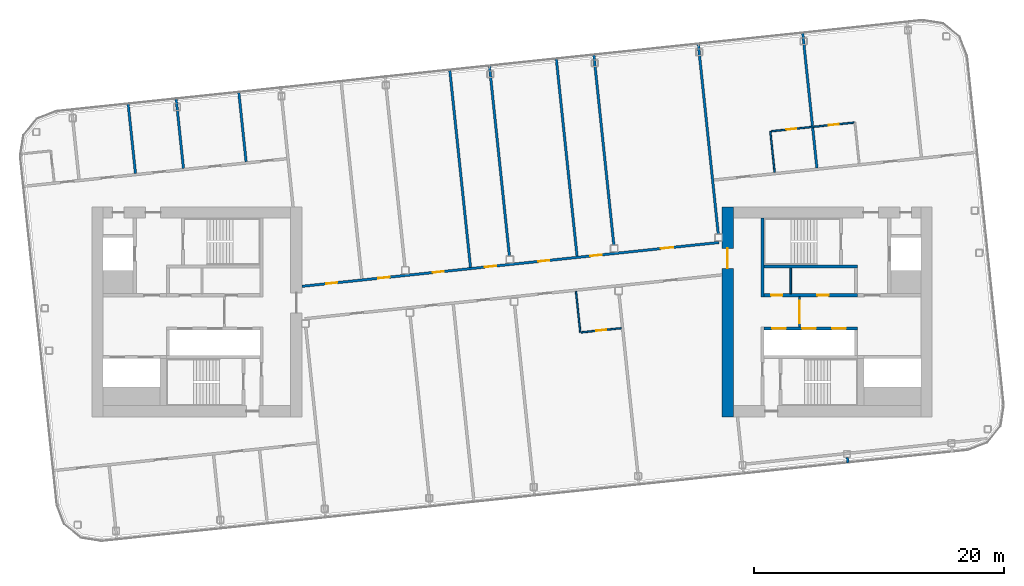
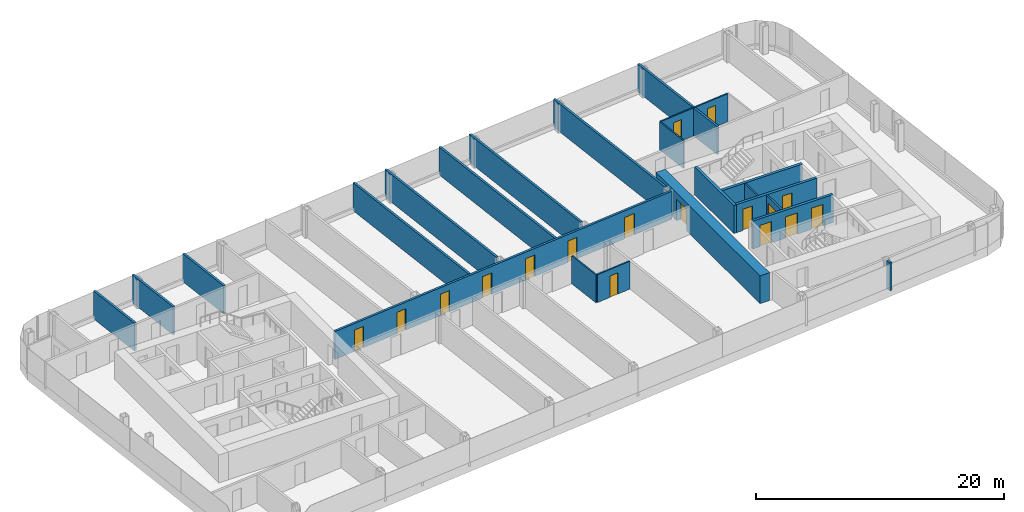
# One storey, part 16 of 26: 22 walls, 17 doors, 17 openings.
"""IFC4 building model written with IfcOpenShell, lengths in metres."""

from ifc_helpers import new_model, si_unit, direction, frame, frame_2d, origin, place, context, subcontext, project, spatial, rectangle, extrude, material, layer, layer_set, type_object, element, fill, save


model = new_model("IFC4")

# Units and contexts
model_context = context("Model", 3, precision=1e-05, world=origin(), true_north=direction((0.0, 1.0)))
body_context = subcontext(model_context, "Body", "Model", "MODEL_VIEW")
ifc_project = project(units=[si_unit("LENGTHUNIT", "METRE"), si_unit("AREAUNIT", "SQUARE_METRE"), si_unit("VOLUMEUNIT", "CUBIC_METRE"), si_unit("PLANEANGLEUNIT", "RADIAN"), si_unit("MASSUNIT", "GRAM", prefix="KILO")], contexts=[model_context])

# Site, building, storey
site_placement = place(None, origin())
site = spatial("IfcSite", under=ifc_project, at=site_placement, CompositionType="ELEMENT")
building_placement = place(site_placement, origin())
building = spatial("IfcBuilding", under=site, at=building_placement, Name="Hakoniwa Tower and Hamabe Station Hall", CompositionType="ELEMENT")
storey_placement = place(building_placement, frame((0.0, 0.0, 251.800048828125)))
storey = spatial("IfcBuildingStorey", under=building, at=storey_placement, Name="L71", CompositionType="ELEMENT", Elevation=251.800048828125)

# Wall, opening, door
ifc_material_1 = material(Name="Gypsum board partition", Category="gypsum")
ifc_layer_1 = layer(ifc_material_1, 0.125)
ifc_layer_set_1 = layer_set([ifc_layer_1], Name="Bathroom Partition 125")
wall_type_1 = type_object("IfcWallType", Name="Bathroom Partition 125", PredefinedType="PARTITIONING", material=ifc_layer_set_1)
wall_1_placement = place(storey_placement, frame((5.526123046875, -1.64501953125, 0.0), z_axis=(0.0, 0.0, 1.0), x_axis=(0.994522794159, 0.104519911488, 0.0)))
wall_1 = element("IfcWall", 1, at=wall_1_placement, inside=storey, type_object=wall_type_1, Name="GW-L71-003", PredefinedType="PARTITIONING", context=body_context, shape_type="SweptSolid", body=[
    extrude(rectangle(XDim=3.237548828125, YDim=0.125, at=frame_2d((1.61865234375, 0.0))), origin(), (0.0, 0.0, 1.0), 2.75),
])
opening_1_placement = place(wall_1_placement, frame((1.237548828125, 0.0, 0.0)))
opening_1 = element("IfcOpeningElement", 2, at=opening_1_placement, cuts=wall_1, Name="Opening GD-G5A1-05", PredefinedType="OPENING", context=body_context, shape_type="SweptSolid", body=[
    extrude(rectangle(XDim=0.800048828125, YDim=2.10009765625, at=frame_2d((0.39990234375, 1.050048828125))), frame((0.0, 0.072509765625, 0.0), z_axis=(0.0, -1.0, 0.0), x_axis=(1.0, 0.0, 0.0)), (0.0, 0.0, 1.0), 0.14501953125),
])
ifc_material_2 = material(Name="Timber door leaf", Category="wood")
door_type_1 = type_object("IfcDoorType", Name="Bathroom Door 800", OperationType="SINGLE_SWING_LEFT", PredefinedType="DOOR", material=ifc_material_2)
door_1_placement = place(opening_1_placement, origin())
door_1 = element("IfcDoor", 3, at=door_1_placement, inside=storey, type_object=door_type_1, Name="Door GD-G5A1-05", OperationType="SINGLE_SWING_RIGHT", OverallHeight=2.10009765625, OverallWidth=0.800048828125, PredefinedType="DOOR", context=body_context, shape_type="SweptSolid", body=[
    extrude(rectangle(XDim=0.800048828125, YDim=2.10009765625, at=frame_2d((0.39990234375, 1.050048828125))), frame((0.0, 0.02490234375, 0.0), z_axis=(0.0, -1.0, 0.0), x_axis=(1.0, 0.0, 0.0)), (0.0, 0.0, 1.0), 0.050048828125),
])
fill(opening_1, door_1)

# Wall, openings, doors
wall_2_placement = place(storey_placement, frame((20.7275390625, 14.443603515625, 0.0), z_axis=(0.0, 0.0, 1.0), x_axis=(0.994521474306, 0.104532469331, 0.0)))
wall_2 = element("IfcWall", 4, at=wall_2_placement, inside=storey, type_object=wall_type_1, Name="GW-L71-007", PredefinedType="PARTITIONING", context=body_context, shape_type="SweptSolid", body=[
    extrude(rectangle(XDim=6.675048828125, YDim=0.125, at=frame_2d((3.33740234375, 0.0))), origin(), (0.0, 0.0, 1.0), 2.75),
])
opening_2_placement = place(wall_2_placement, frame((1.237548828125, 0.0, 0.0)))
opening_2 = element("IfcOpeningElement", 5, at=opening_2_placement, cuts=wall_2, Name="Opening GD-G5A1-21", PredefinedType="OPENING", context=body_context, shape_type="SweptSolid", body=[
    extrude(rectangle(XDim=0.800048828125, YDim=2.10009765625, at=frame_2d((0.39990234375, 1.050048828125))), frame((0.0, 0.072509765625, 0.0), z_axis=(0.0, -1.0, 0.0), x_axis=(1.0, 0.0, 0.0)), (0.0, 0.0, 1.0), 0.14501953125),
])
opening_3_placement = place(wall_2_placement, frame((4.637451171875, 0.0, 0.0)))
opening_3 = element("IfcOpeningElement", 6, at=opening_3_placement, cuts=wall_2, Name="Opening GD-G5A1-22", PredefinedType="OPENING", context=body_context, shape_type="SweptSolid", body=[
    extrude(rectangle(XDim=0.800048828125, YDim=2.10009765625, at=frame_2d((0.39990234375, 1.050048828125))), frame((0.0, 0.072509765625, 0.0), z_axis=(0.0, -1.0, 0.0), x_axis=(1.0, 0.0, 0.0)), (0.0, 0.0, 1.0), 0.14501953125),
])
door_2_placement = place(opening_2_placement, origin())
door_2 = element("IfcDoor", 7, at=door_2_placement, inside=storey, type_object=door_type_1, Name="Door GD-G5A1-21", OperationType="SINGLE_SWING_LEFT", OverallHeight=2.10009765625, OverallWidth=0.800048828125, PredefinedType="DOOR", context=body_context, shape_type="SweptSolid", body=[
    extrude(rectangle(XDim=0.800048828125, YDim=2.10009765625, at=frame_2d((0.39990234375, 1.050048828125))), frame((0.0, 0.02490234375, 0.0), z_axis=(0.0, -1.0, 0.0), x_axis=(1.0, 0.0, 0.0)), (0.0, 0.0, 1.0), 0.050048828125),
])
fill(opening_2, door_2)
door_3_placement = place(opening_3_placement, origin())
door_3 = element("IfcDoor", 8, at=door_3_placement, inside=storey, type_object=door_type_1, Name="Door GD-G5A1-22", OperationType="SINGLE_SWING_RIGHT", OverallHeight=2.10009765625, OverallWidth=0.800048828125, PredefinedType="DOOR", context=body_context, shape_type="SweptSolid", body=[
    extrude(rectangle(XDim=0.800048828125, YDim=2.10009765625, at=frame_2d((0.39990234375, 1.050048828125))), frame((0.0, 0.02490234375, 0.0), z_axis=(0.0, -1.0, 0.0), x_axis=(1.0, 0.0, 0.0)), (0.0, 0.0, 1.0), 0.050048828125),
])
fill(opening_3, door_3)

# Walls
wall_3_placement = place(storey_placement, frame((5.4638671875, -1.651611328125, 0.0), z_axis=(0.0, 0.0, 1.0), x_axis=(-0.104534592565, 0.994521251134, 0.0)))
element("IfcWall", 9, at=wall_3_placement, inside=storey, type_object=wall_type_1, Name="GW-L71-027", PredefinedType="PARTITIONING", context=body_context, shape_type="SweptSolid", body=[
    extrude(rectangle(XDim=3.300048828125, YDim=0.125, at=frame_2d((1.64990234375, 0.0))), origin(), (0.0, 0.0, 1.0), 2.75),
])
wall_4_placement = place(storey_placement, frame((21.010498046875, 11.1552734375, 0.0), z_axis=(0.0, 0.0, 1.0), x_axis=(-0.10454228429, 0.994520442623, 0.0)))
element("IfcWall", 10, at=wall_4_placement, inside=storey, type_object=wall_type_1, Name="GW-L71-033", PredefinedType="PARTITIONING", context=body_context, shape_type="SweptSolid", body=[
    extrude(rectangle(XDim=3.2998046875, YDim=0.125, at=frame_2d((1.64990234375, 0.0))), origin(), (0.0, 0.0, 1.0), 2.75),
])

# Wall, opening, door
ifc_material_3 = material(Name="Gypsum board partition")
ifc_layer_2 = layer(ifc_material_3, 0.14990234375)
ifc_layer_set_2 = layer_set([ifc_layer_2], Name="CORE PARTITION 150 EI 60")
wall_type_2 = type_object("IfcWallType", Name="CORE PARTITION 150 EI 60", PredefinedType="PARTITIONING", material=ifc_layer_set_2)
wall_5_placement = place(storey_placement, frame((23.0, -1.199951171875, 0.0), z_axis=(0.0, 0.0, 1.0), x_axis=(0.0, 1.0, 0.0)))
wall_5 = element("IfcWall", 11, at=wall_5_placement, inside=storey, type_object=wall_type_2, Name="Core partition PL0 east", PredefinedType="PARTITIONING", context=body_context, shape_type="SweptSolid", body=[
    extrude(rectangle(XDim=2.39990234375, YDim=0.14990234375, at=frame_2d((1.199951171875, 0.0))), origin(), (0.0, 0.0, 1.0), 2.75),
])
opening_4_placement = place(wall_5_placement, frame((0.300048828125, 0.0, 0.0)))
opening_4 = element("IfcOpeningElement", 12, at=opening_4_placement, cuts=wall_5, Name="Opening CD-E-LP0-18", PredefinedType="OPENING", context=body_context, shape_type="SweptSolid", body=[
    extrude(rectangle(XDim=1.800048828125, YDim=2.10009765625, at=frame_2d((0.89990234375, 1.050048828125))), frame((0.0, 0.0849609375, 0.0), z_axis=(0.0, -1.0, 0.0), x_axis=(1.0, 0.0, 0.0)), (0.0, 0.0, 1.0), 0.169921875),
])
ifc_material_4 = material(Name="Steel fire door", Category="steel")
door_type_2 = type_object("IfcDoorType", Name="CORE DOOR 1800 FD60", OperationType="DOUBLE_DOOR_SINGLE_SWING", PredefinedType="DOOR", material=ifc_material_4)
door_4_placement = place(opening_4_placement, origin())
door_4 = element("IfcDoor", 13, at=door_4_placement, inside=storey, type_object=door_type_2, Name="Lift lobby partition door", OperationType="DOUBLE_DOOR_SINGLE_SWING", OverallHeight=2.10009765625, OverallWidth=1.800048828125, PredefinedType="DOOR", context=body_context, shape_type="SweptSolid", body=[
    extrude(rectangle(XDim=1.800048828125, YDim=2.10009765625, at=frame_2d((0.89990234375, 1.050048828125))), frame((0.0, 0.02490234375, 0.0), z_axis=(0.0, -1.0, 0.0), x_axis=(1.0, 0.0, 0.0)), (0.0, 0.0, 1.0), 0.050048828125),
])
fill(opening_4, door_4)

# Wall
wall_6_placement = place(storey_placement, frame((22.300048828125, 1.449951171875, 0.0), z_axis=(0.0, 0.0, 1.0), x_axis=(0.0, 1.0, 0.0)))
element("IfcWall", 14, at=wall_6_placement, inside=storey, type_object=wall_type_2, Name="Core partition PFLR0 east", PredefinedType="PARTITIONING", context=body_context, shape_type="SweptSolid", body=[
    extrude(rectangle(XDim=2.050048828125, YDim=0.14990234375, at=frame_2d((1.02490234375, 0.0))), origin(), (0.0, 0.0, 1.0), 2.75),
])

# Wall, opening, door
ifc_material_5 = material(Name="Concrete C60", Category="concrete")
ifc_layer_3 = layer(ifc_material_5, 0.89990234375)
ifc_layer_set_3 = layer_set([ifc_layer_3], Name="CORE WALL 900 C60")
wall_type_3 = type_object("IfcWallType", Name="CORE WALL 900 C60", PredefinedType="SHEAR", material=ifc_layer_set_3)
wall_7_placement = place(storey_placement, frame((17.25, -8.39990234375, 0.0), z_axis=(0.0, 0.0, 1.0), x_axis=(0.0, 1.0, 0.0)))
wall_7 = element("IfcWall", 15, at=wall_7_placement, inside=storey, type_object=wall_type_3, Name="Core wall INNER east", PredefinedType="SHEAR", context=body_context, shape_type="SweptSolid", body=[
    extrude(rectangle(XDim=16.7998046875, YDim=0.89990234375, at=frame_2d((8.39990234375, 0.0))), origin(), (0.0, 0.0, 1.0), 2.75),
])
opening_5_placement = place(wall_7_placement, frame((11.87890625, 0.0, 0.0)))
opening_5 = element("IfcOpeningElement", 16, at=opening_5_placement, cuts=wall_7, Name="Opening CD-E-IN1-16", PredefinedType="OPENING", context=body_context, shape_type="SweptSolid", body=[
    extrude(rectangle(XDim=1.60009765625, YDim=2.10009765625, at=frame_2d((0.800048828125, 1.050048828125))), frame((0.0, 0.4599609375, 0.0), z_axis=(0.0, -1.0, 0.0), x_axis=(1.0, 0.0, 0.0)), (0.0, 0.0, 1.0), 0.919921875),
])
ifc_material_6 = material(Name="Steel fire door", Category="steel")
door_type_3 = type_object("IfcDoorType", Name="CORE DOOR 1600 FD60", OperationType="DOUBLE_DOOR_SINGLE_SWING", PredefinedType="DOOR", material=ifc_material_6)
door_5_placement = place(opening_5_placement, origin())
door_5 = element("IfcDoor", 17, at=door_5_placement, inside=storey, type_object=door_type_3, Name="Lift lobby door", OperationType="DOUBLE_DOOR_SINGLE_SWING", OverallHeight=2.10009765625, OverallWidth=1.60009765625, PredefinedType="DOOR", context=body_context, shape_type="SweptSolid", body=[
    extrude(rectangle(XDim=1.60009765625, YDim=2.10009765625, at=frame_2d((0.800048828125, 1.050048828125))), frame((0.0, 0.02490234375, 0.0), z_axis=(0.0, -1.0, 0.0), x_axis=(1.0, 0.0, 0.0)), (0.0, 0.0, 1.0), 0.050048828125),
])
fill(opening_5, door_5)

# Wall
ifc_material_7 = material(Name="Concrete C60", Category="concrete")
ifc_layer_4 = layer(ifc_material_7, 0.25)
ifc_layer_set_4 = layer_set([ifc_layer_4], Name="CORE WEB WALL 250 C60")
wall_type_4 = type_object("IfcWallType", Name="CORE WEB WALL 250 C60", PredefinedType="SHEAR", material=ifc_layer_set_4)
wall_8_placement = place(storey_placement, frame((20.02490234375, 1.199951171875, 0.0), z_axis=(0.0, 0.0, 1.0), x_axis=(0.0, 1.0, 0.0)))
element("IfcWall", 18, at=wall_8_placement, inside=storey, type_object=wall_type_4, Name="Core wall W1N east", PredefinedType="SHEAR", context=body_context, shape_type="SweptSolid", body=[
    extrude(rectangle(XDim=6.300048828125, YDim=0.25, at=frame_2d((3.14990234375, 0.0))), origin(), (0.0, 0.0, 1.0), 2.75),
])

# Wall, openings, doors
wall_9_placement = place(storey_placement, frame((20.14990234375, 1.324951171875, 0.0), z_axis=(0.0, 0.0, 1.0), x_axis=(1.0, 0.0, 0.0)))
wall_9 = element("IfcWall", 19, at=wall_9_placement, inside=storey, type_object=wall_type_4, Name="Core wall NF east", PredefinedType="SHEAR", context=body_context, shape_type="SweptSolid", body=[
    extrude(rectangle(XDim=7.5, YDim=0.25, at=frame_2d((3.75, 0.0))), origin(), (0.0, 0.0, 1.0), 2.75),
])
opening_6_placement = place(wall_9_placement, frame((0.58740234375, 0.0, 0.0)))
opening_6 = element("IfcOpeningElement", 20, at=opening_6_placement, cuts=wall_9, Name="Opening CD-E-FRLR0-9", PredefinedType="OPENING", context=body_context, shape_type="SweptSolid", body=[
    extrude(rectangle(XDim=0.89990234375, YDim=2.10009765625, at=frame_2d((0.449951171875, 1.050048828125))), frame((0.0, 0.135009765625, 0.0), z_axis=(0.0, -1.0, 0.0), x_axis=(1.0, 0.0, 0.0)), (0.0, 0.0, 1.0), 0.27001953125),
])
opening_7_placement = place(wall_9_placement, frame((4.28759765625, 0.0, 0.0)))
opening_7 = element("IfcOpeningElement", 21, at=opening_7_placement, cuts=wall_9, Name="Opening CD-E-FRLR1-9", PredefinedType="OPENING", context=body_context, shape_type="SweptSolid", body=[
    extrude(rectangle(XDim=0.89990234375, YDim=2.10009765625, at=frame_2d((0.449951171875, 1.050048828125))), frame((0.0, 0.135009765625, 0.0), z_axis=(0.0, -1.0, 0.0), x_axis=(1.0, 0.0, 0.0)), (0.0, 0.0, 1.0), 0.27001953125),
])
ifc_material_8 = material(Name="Steel fire door", Category="steel")
door_type_4 = type_object("IfcDoorType", Name="CORE DOOR 900 FD30", OperationType="NOTDEFINED", PredefinedType="DOOR", material=ifc_material_8)
door_6_placement = place(opening_6_placement, origin())
door_6 = element("IfcDoor", 22, at=door_6_placement, inside=storey, type_object=door_type_4, Name="Store room door", OperationType="SINGLE_SWING_RIGHT", OverallHeight=2.10009765625, OverallWidth=0.89990234375, PredefinedType="DOOR", context=body_context, shape_type="SweptSolid", body=[
    extrude(rectangle(XDim=0.89990234375, YDim=2.10009765625, at=frame_2d((0.449951171875, 1.050048828125))), frame((0.0, 0.02490234375, 0.0), z_axis=(0.0, -1.0, 0.0), x_axis=(1.0, 0.0, 0.0)), (0.0, 0.0, 1.0), 0.050048828125),
])
fill(opening_6, door_6)
door_7_placement = place(opening_7_placement, origin())
door_7 = element("IfcDoor", 23, at=door_7_placement, inside=storey, type_object=door_type_4, Name="Store room door", OperationType="SINGLE_SWING_RIGHT", OverallHeight=2.10009765625, OverallWidth=0.89990234375, PredefinedType="DOOR", context=body_context, shape_type="SweptSolid", body=[
    extrude(rectangle(XDim=0.89990234375, YDim=2.10009765625, at=frame_2d((0.449951171875, 1.050048828125))), frame((0.0, 0.02490234375, 0.0), z_axis=(0.0, -1.0, 0.0), x_axis=(1.0, 0.0, 0.0)), (0.0, 0.0, 1.0), 0.050048828125),
])
fill(opening_7, door_7)

# Wall
wall_10_placement = place(storey_placement, frame((20.14990234375, 3.625, 0.0), z_axis=(0.0, 0.0, 1.0), x_axis=(1.0, 0.0, 0.0)))
element("IfcWall", 24, at=wall_10_placement, inside=storey, type_object=wall_type_4, Name="Core wall NR east", PredefinedType="SHEAR", context=body_context, shape_type="SweptSolid", body=[
    extrude(rectangle(XDim=7.5, YDim=0.25, at=frame_2d((3.75, 0.0))), origin(), (0.0, 0.0, 1.0), 2.75),
])

# Wall, openings, doors
wall_11_placement = place(storey_placement, frame((20.14990234375, -1.324951171875, 0.0), z_axis=(0.0, 0.0, 1.0), x_axis=(1.0, 0.0, 0.0)))
wall_11 = element("IfcWall", 25, at=wall_11_placement, inside=storey, type_object=wall_type_4, Name="Core wall SF east", PredefinedType="SHEAR", context=body_context, shape_type="SweptSolid", body=[
    extrude(rectangle(XDim=7.5, YDim=0.25, at=frame_2d((3.75, 0.0))), origin(), (0.0, 0.0, 1.0), 2.75),
])
opening_8_placement = place(wall_11_placement, frame((0.64990234375, 0.0, 0.0)))
opening_8 = element("IfcOpeningElement", 26, at=opening_8_placement, cuts=wall_11, Name="Opening LD-HR4", PredefinedType="OPENING", context=body_context, shape_type="SweptSolid", body=[
    extrude(rectangle(XDim=1.10009765625, YDim=2.10009765625, at=frame_2d((0.550048828125, 1.050048828125))), frame((0.0, 0.135009765625, 0.0), z_axis=(0.0, -1.0, 0.0), x_axis=(1.0, 0.0, 0.0)), (0.0, 0.0, 1.0), 0.27001953125),
])
opening_9_placement = place(wall_11_placement, frame((3.050048828125, 0.0, 0.0)))
opening_9 = element("IfcOpeningElement", 27, at=opening_9_placement, cuts=wall_11, Name="Opening LD-HR5", PredefinedType="OPENING", context=body_context, shape_type="SweptSolid", body=[
    extrude(rectangle(XDim=1.10009765625, YDim=2.10009765625, at=frame_2d((0.550048828125, 1.050048828125))), frame((0.0, 0.135009765625, 0.0), z_axis=(0.0, -1.0, 0.0), x_axis=(1.0, 0.0, 0.0)), (0.0, 0.0, 1.0), 0.27001953125),
])
opening_10_placement = place(wall_11_placement, frame((5.449951171875, 0.0, 0.0)))
opening_10 = element("IfcOpeningElement", 28, at=opening_10_placement, cuts=wall_11, Name="Opening LD-HR6", PredefinedType="OPENING", context=body_context, shape_type="SweptSolid", body=[
    extrude(rectangle(XDim=1.10009765625, YDim=2.10009765625, at=frame_2d((0.550048828125, 1.050048828125))), frame((0.0, 0.135009765625, 0.0), z_axis=(0.0, -1.0, 0.0), x_axis=(1.0, 0.0, 0.0)), (0.0, 0.0, 1.0), 0.27001953125),
])
ifc_material_9 = material(Name="Stainless steel SUS304", Category="steel")
door_type_5 = type_object("IfcDoorType", Name="LIFT LANDING DOOR 1100 FD60", OperationType="DOUBLE_DOOR_SLIDING", PredefinedType="DOOR", material=ifc_material_9)
door_8_placement = place(opening_8_placement, origin())
door_8 = element("IfcDoor", 29, at=door_8_placement, inside=storey, type_object=door_type_5, Name="Lift landing door HR4 L71", OperationType="DOUBLE_DOOR_SLIDING", OverallHeight=2.10009765625, OverallWidth=1.10009765625, PredefinedType="DOOR", context=body_context, shape_type="SweptSolid", body=[
    extrude(rectangle(XDim=1.10009765625, YDim=2.10009765625, at=frame_2d((0.550048828125, 1.050048828125))), frame((0.0, 0.02490234375, 0.0), z_axis=(0.0, -1.0, 0.0), x_axis=(1.0, 0.0, 0.0)), (0.0, 0.0, 1.0), 0.050048828125),
])
fill(opening_8, door_8)
door_9_placement = place(opening_9_placement, origin())
door_9 = element("IfcDoor", 30, at=door_9_placement, inside=storey, type_object=door_type_5, Name="Lift landing door HR5 L71", OperationType="DOUBLE_DOOR_SLIDING", OverallHeight=2.10009765625, OverallWidth=1.10009765625, PredefinedType="DOOR", context=body_context, shape_type="SweptSolid", body=[
    extrude(rectangle(XDim=1.10009765625, YDim=2.10009765625, at=frame_2d((0.550048828125, 1.050048828125))), frame((0.0, 0.02490234375, 0.0), z_axis=(0.0, -1.0, 0.0), x_axis=(1.0, 0.0, 0.0)), (0.0, 0.0, 1.0), 0.050048828125),
])
fill(opening_9, door_9)
door_10_placement = place(opening_10_placement, origin())
door_10 = element("IfcDoor", 31, at=door_10_placement, inside=storey, type_object=door_type_5, Name="Lift landing door HR6 L71", OperationType="DOUBLE_DOOR_SLIDING", OverallHeight=2.10009765625, OverallWidth=1.10009765625, PredefinedType="DOOR", context=body_context, shape_type="SweptSolid", body=[
    extrude(rectangle(XDim=1.10009765625, YDim=2.10009765625, at=frame_2d((0.550048828125, 1.050048828125))), frame((0.0, 0.02490234375, 0.0), z_axis=(0.0, -1.0, 0.0), x_axis=(1.0, 0.0, 0.0)), (0.0, 0.0, 1.0), 0.050048828125),
])
fill(opening_10, door_10)

ifc_material_10 = material(Name="Fire-rated gypsum board partition", Category="gypsum")
ifc_layer_5 = layer(ifc_material_10, 0.199951171875)
ifc_layer_set_5 = layer_set([ifc_layer_5], Name="Corridor Wall 200")
wall_type_5 = type_object("IfcWallType", Name="Corridor Wall 200", PredefinedType="PARTITIONING", material=ifc_layer_set_5)
wall_12_placement = place(storey_placement, frame((-16.804931640625, 2.040771484375, 0.0), z_axis=(0.0, 0.0, 1.0), x_axis=(0.994521146831, 0.104535584879, 0.0)))
wall_12 = element("IfcWall", 32, at=wall_12_placement, inside=storey, type_object=wall_type_5, Name="GW-L71-005", PredefinedType="PARTITIONING", context=body_context, shape_type="SweptSolid", body=[
    extrude(rectangle(XDim=33.560791015625, YDim=0.199951171875, at=frame_2d((16.7802734375, 0.0))), origin(), (0.0, 0.0, 1.0), 2.75),
])
opening_11_placement = place(wall_12_placement, frame((1.94580078125, 0.0, 0.0)))
opening_11 = element("IfcOpeningElement", 33, at=opening_11_placement, cuts=wall_12, Name="Opening GD-G5A1-11", PredefinedType="OPENING", context=body_context, shape_type="SweptSolid", body=[
    extrude(rectangle(XDim=0.89990234375, YDim=2.10009765625, at=frame_2d((0.449951171875, 1.050048828125))), frame((0.0, 0.10986328125, 0.0), z_axis=(0.0, -1.0, 0.0), x_axis=(1.0, 0.0, 0.0)), (0.0, 0.0, 1.0), 0.219970703125),
])
opening_12_placement = place(wall_12_placement, frame((6.14599609375, 0.0, 0.0)))
opening_12 = element("IfcOpeningElement", 34, at=opening_12_placement, cuts=wall_12, Name="Opening GD-G5A1-12", PredefinedType="OPENING", context=body_context, shape_type="SweptSolid", body=[
    extrude(rectangle(XDim=0.89990234375, YDim=2.10009765625, at=frame_2d((0.449951171875, 1.050048828125))), frame((0.0, 0.10986328125, 0.0), z_axis=(0.0, -1.0, 0.0), x_axis=(1.0, 0.0, 0.0)), (0.0, 0.0, 1.0), 0.219970703125),
])
opening_13_placement = place(wall_12_placement, frame((10.515869140625, 0.0, 0.0)))
opening_13 = element("IfcOpeningElement", 35, at=opening_13_placement, cuts=wall_12, Name="Opening GD-G5A1-13", PredefinedType="OPENING", context=body_context, shape_type="SweptSolid", body=[
    extrude(rectangle(XDim=0.89990234375, YDim=2.10009765625, at=frame_2d((0.449951171875, 1.050048828125))), frame((0.0, 0.10986328125, 0.0), z_axis=(0.0, -1.0, 0.0), x_axis=(1.0, 0.0, 0.0)), (0.0, 0.0, 1.0), 0.219970703125),
])
opening_14_placement = place(wall_12_placement, frame((14.7158203125, 0.0, 0.0)))
opening_14 = element("IfcOpeningElement", 36, at=opening_14_placement, cuts=wall_12, Name="Opening GD-G5A1-14", PredefinedType="OPENING", context=body_context, shape_type="SweptSolid", body=[
    extrude(rectangle(XDim=0.89990234375, YDim=2.10009765625, at=frame_2d((0.449951171875, 1.050048828125))), frame((0.0, 0.10986328125, 0.0), z_axis=(0.0, -1.0, 0.0), x_axis=(1.0, 0.0, 0.0)), (0.0, 0.0, 1.0), 0.219970703125),
])
opening_15_placement = place(wall_12_placement, frame((19.0009765625, 0.0, 0.0)))
opening_15 = element("IfcOpeningElement", 37, at=opening_15_placement, cuts=wall_12, Name="Opening GD-G5A1-15", PredefinedType="OPENING", context=body_context, shape_type="SweptSolid", body=[
    extrude(rectangle(XDim=0.89990234375, YDim=2.10009765625, at=frame_2d((0.449951171875, 1.050048828125))), frame((0.0, 0.10986328125, 0.0), z_axis=(0.0, -1.0, 0.0), x_axis=(1.0, 0.0, 0.0)), (0.0, 0.0, 1.0), 0.219970703125),
])
opening_16_placement = place(wall_12_placement, frame((23.200927734375, 0.0, 0.0)))
opening_16 = element("IfcOpeningElement", 38, at=opening_16_placement, cuts=wall_12, Name="Opening GD-G5A1-16", PredefinedType="OPENING", context=body_context, shape_type="SweptSolid", body=[
    extrude(rectangle(XDim=0.89990234375, YDim=2.10009765625, at=frame_2d((0.449951171875, 1.050048828125))), frame((0.0, 0.10986328125, 0.0), z_axis=(0.0, -1.0, 0.0), x_axis=(1.0, 0.0, 0.0)), (0.0, 0.0, 1.0), 0.219970703125),
])
opening_17_placement = place(wall_12_placement, frame((28.86083984375, 0.0, 0.0)))
opening_17 = element("IfcOpeningElement", 39, at=opening_17_placement, cuts=wall_12, Name="Opening GD-G5A1-17", PredefinedType="OPENING", context=body_context, shape_type="SweptSolid", body=[
    extrude(rectangle(XDim=1.0, YDim=2.10009765625, at=frame_2d((0.5, 1.050048828125))), frame((0.0, 0.10986328125, 0.0), z_axis=(0.0, -1.0, 0.0), x_axis=(1.0, 0.0, 0.0)), (0.0, 0.0, 1.0), 0.219970703125),
])
ifc_material_11 = material(Name="Timber door leaf", Category="wood")
door_type_6 = type_object("IfcDoorType", Name="Guest Entrance Door 1000", OperationType="SINGLE_SWING_LEFT", PredefinedType="DOOR", material=ifc_material_11)
door_11_placement = place(opening_17_placement, origin())
door_11 = element("IfcDoor", 40, at=door_11_placement, inside=storey, type_object=door_type_6, Name="Door GD-G5A1-17", OperationType="SINGLE_SWING_LEFT", OverallHeight=2.10009765625, OverallWidth=1.0, PredefinedType="DOOR", context=body_context, shape_type="SweptSolid", body=[
    extrude(rectangle(XDim=1.0, YDim=2.10009765625, at=frame_2d((0.5, 1.050048828125))), frame((0.0, 0.02490234375, 0.0), z_axis=(0.0, -1.0, 0.0), x_axis=(1.0, 0.0, 0.0)), (0.0, 0.0, 1.0), 0.050048828125),
])
fill(opening_17, door_11)
ifc_material_12 = material(Name="Timber door leaf", Category="wood")
door_type_7 = type_object("IfcDoorType", Name="Service Door 900", OperationType="SINGLE_SWING_LEFT", PredefinedType="DOOR", material=ifc_material_12)
door_12_placement = place(opening_11_placement, origin())
door_12 = element("IfcDoor", 41, at=door_12_placement, inside=storey, type_object=door_type_7, Name="Door GD-G5A1-11", OperationType="SINGLE_SWING_LEFT", OverallHeight=2.10009765625, OverallWidth=0.89990234375, PredefinedType="DOOR", context=body_context, shape_type="SweptSolid", body=[
    extrude(rectangle(XDim=0.89990234375, YDim=2.10009765625, at=frame_2d((0.449951171875, 1.050048828125))), frame((0.0, 0.02490234375, 0.0), z_axis=(0.0, -1.0, 0.0), x_axis=(1.0, 0.0, 0.0)), (0.0, 0.0, 1.0), 0.050048828125),
])
fill(opening_11, door_12)
door_13_placement = place(opening_12_placement, origin())
door_13 = element("IfcDoor", 42, at=door_13_placement, inside=storey, type_object=door_type_7, Name="Door GD-G5A1-12", OperationType="SINGLE_SWING_RIGHT", OverallHeight=2.10009765625, OverallWidth=0.89990234375, PredefinedType="DOOR", context=body_context, shape_type="SweptSolid", body=[
    extrude(rectangle(XDim=0.89990234375, YDim=2.10009765625, at=frame_2d((0.449951171875, 1.050048828125))), frame((0.0, 0.02490234375, 0.0), z_axis=(0.0, -1.0, 0.0), x_axis=(1.0, 0.0, 0.0)), (0.0, 0.0, 1.0), 0.050048828125),
])
fill(opening_12, door_13)
door_14_placement = place(opening_13_placement, origin())
door_14 = element("IfcDoor", 43, at=door_14_placement, inside=storey, type_object=door_type_7, Name="Door GD-G5A1-13", OperationType="SINGLE_SWING_LEFT", OverallHeight=2.10009765625, OverallWidth=0.89990234375, PredefinedType="DOOR", context=body_context, shape_type="SweptSolid", body=[
    extrude(rectangle(XDim=0.89990234375, YDim=2.10009765625, at=frame_2d((0.449951171875, 1.050048828125))), frame((0.0, 0.02490234375, 0.0), z_axis=(0.0, -1.0, 0.0), x_axis=(1.0, 0.0, 0.0)), (0.0, 0.0, 1.0), 0.050048828125),
])
fill(opening_13, door_14)
door_15_placement = place(opening_14_placement, origin())
door_15 = element("IfcDoor", 44, at=door_15_placement, inside=storey, type_object=door_type_7, Name="Door GD-G5A1-14", OperationType="SINGLE_SWING_RIGHT", OverallHeight=2.10009765625, OverallWidth=0.89990234375, PredefinedType="DOOR", context=body_context, shape_type="SweptSolid", body=[
    extrude(rectangle(XDim=0.89990234375, YDim=2.10009765625, at=frame_2d((0.449951171875, 1.050048828125))), frame((0.0, 0.02490234375, 0.0), z_axis=(0.0, -1.0, 0.0), x_axis=(1.0, 0.0, 0.0)), (0.0, 0.0, 1.0), 0.050048828125),
])
fill(opening_14, door_15)
door_16_placement = place(opening_15_placement, origin())
door_16 = element("IfcDoor", 45, at=door_16_placement, inside=storey, type_object=door_type_7, Name="Door GD-G5A1-15", OperationType="SINGLE_SWING_LEFT", OverallHeight=2.10009765625, OverallWidth=0.89990234375, PredefinedType="DOOR", context=body_context, shape_type="SweptSolid", body=[
    extrude(rectangle(XDim=0.89990234375, YDim=2.10009765625, at=frame_2d((0.449951171875, 1.050048828125))), frame((0.0, 0.02490234375, 0.0), z_axis=(0.0, -1.0, 0.0), x_axis=(1.0, 0.0, 0.0)), (0.0, 0.0, 1.0), 0.050048828125),
])
fill(opening_15, door_16)
door_17_placement = place(opening_16_placement, origin())
door_17 = element("IfcDoor", 46, at=door_17_placement, inside=storey, type_object=door_type_7, Name="Door GD-G5A1-16", OperationType="SINGLE_SWING_RIGHT", OverallHeight=2.10009765625, OverallWidth=0.89990234375, PredefinedType="DOOR", context=body_context, shape_type="SweptSolid", body=[
    extrude(rectangle(XDim=0.89990234375, YDim=2.10009765625, at=frame_2d((0.449951171875, 1.050048828125))), frame((0.0, 0.02490234375, 0.0), z_axis=(0.0, -1.0, 0.0), x_axis=(1.0, 0.0, 0.0)), (0.0, 0.0, 1.0), 0.050048828125),
])
fill(opening_16, door_17)

# Walls
ifc_material_13 = material(Name="Fire-rated gypsum board partition", Category="gypsum")
ifc_layer_6 = layer(ifc_material_13, 0.199951171875)
ifc_layer_set_6 = layer_set([ifc_layer_6], Name="Party Wall 200")
wall_type_6 = type_object("IfcWallType", Name="Party Wall 200", PredefinedType="PARTITIONING", material=ifc_layer_set_6)
wall_13_placement = place(storey_placement, frame((-30.12158203125, 11.078125, 0.0), z_axis=(0.0, 0.0, 1.0), x_axis=(-0.10455589696, 0.994519011588, 0.0)))
element("IfcWall", 47, at=wall_13_placement, inside=storey, type_object=wall_type_6, Name="GW-L71-013", PredefinedType="PARTITIONING", context=body_context, shape_type="SweptSolid", body=[
    extrude(rectangle(XDim=5.620361328125, YDim=0.199951171875, at=frame_2d((2.81005859375, 0.0))), origin(), (0.0, 0.0, 1.0), 2.75),
])
for number, where, z_axis, x_axis, name in (
    (48, (-26.28271484375, 11.481689453125, 0.0), (0.0, 0.0, 1.0), (-0.104560413987, 0.994518536693, 0.0), "GW-L71-015"),
    (49, (-21.2705078125, 12.008544921875, 0.0), (0.0, 0.0, 1.0), (-0.104517448482, 0.994523053007, 0.0), "GW-L71-017"),
):
    element("IfcWall", number, at=place(storey_placement, frame(where, z_axis=z_axis, x_axis=x_axis)), inside=storey, type_object=wall_type_6, Name=name, PredefinedType="PARTITIONING", context=body_context, shape_type="SweptSolid", body=[
        extrude(rectangle(XDim=5.6201171875, YDim=0.199951171875, at=frame_2d((2.81005859375, 0.0))), origin(), (0.0, 0.0, 1.0), 2.75),
    ])
wall_14_placement = place(storey_placement, frame((-3.31884765625, 3.558837890625, 0.0), z_axis=(0.0, 0.0, 1.0), x_axis=(-0.104534518003, 0.994521258971, 0.0)))
element("IfcWall", 50, at=wall_14_placement, inside=storey, type_object=wall_type_6, Name="GW-L71-024", PredefinedType="PARTITIONING", context=body_context, shape_type="SweptSolid", body=[
    extrude(rectangle(XDim=15.900146484375, YDim=0.199951171875, at=frame_2d((7.9501953125, 0.0))), origin(), (0.0, 0.0, 1.0), 2.75),
])
wall_15_placement = place(storey_placement, frame((-0.208251953125, 4.480712890625, 0.0), z_axis=(0.0, 0.0, 1.0), x_axis=(-0.104523729364, 0.99452239291, 0.0)))
element("IfcWall", 51, at=wall_15_placement, inside=storey, type_object=wall_type_6, Name="GW-L71-026", PredefinedType="PARTITIONING", context=body_context, shape_type="SweptSolid", body=[
    extrude(rectangle(XDim=15.308349609375, YDim=0.199951171875, at=frame_2d((7.654296875, 0.0))), origin(), (0.0, 0.0, 1.0), 2.75),
])
wall_16_placement = place(storey_placement, frame((5.2041015625, 4.45458984375, 0.0), z_axis=(0.0, 0.0, 1.0), x_axis=(-0.104519331095, 0.994522855156, 0.0)))
element("IfcWall", 52, at=wall_16_placement, inside=storey, type_object=wall_type_6, Name="GW-L71-028", PredefinedType="PARTITIONING", context=body_context, shape_type="SweptSolid", body=[
    extrude(rectangle(XDim=15.900146484375, YDim=0.199951171875, at=frame_2d((7.9501953125, 0.0))), origin(), (0.0, 0.0, 1.0), 2.75),
])
for number, where, z_axis, x_axis, name in (
    (53, (8.145751953125, 5.358642578125, 0.0), (0.0, 0.0, 1.0), (-0.104523729364, 0.99452239291, 0.0), "GW-L71-030"),
    (54, (16.499755859375, 6.23681640625, 0.0), (0.0, 0.0, 1.0), (-0.104523729364, 0.99452239291, 0.0), "GW-L71-032"),
):
    element("IfcWall", number, at=place(storey_placement, frame(where, z_axis=z_axis, x_axis=x_axis)), inside=storey, type_object=wall_type_6, Name=name, PredefinedType="PARTITIONING", context=body_context, shape_type="SweptSolid", body=[
        extrude(rectangle(XDim=15.308349609375, YDim=0.199951171875, at=frame_2d((7.654296875, 0.0))), origin(), (0.0, 0.0, 1.0), 2.75),
    ])
wall_17_placement = place(storey_placement, frame((26.870361328125, -12.071044921875, 0.0), z_axis=(0.0, 0.0, 1.0), x_axis=(-0.104743412259, 0.994499279833, 0.0)))
element("IfcWall", 55, at=wall_17_placement, inside=storey, type_object=wall_type_6, Name="GW-L71-034", PredefinedType="PARTITIONING", context=body_context, shape_type="SweptSolid", body=[
    extrude(rectangle(XDim=0.43359375, YDim=0.199951171875, at=frame_2d((0.216796875, 0.0))), origin(), (0.0, 0.0, 1.0), 2.75),
])
wall_18_placement = place(storey_placement, frame((24.391845703125, 11.510498046875, 0.0), z_axis=(0.0, 0.0, 1.0), x_axis=(-0.104530717431, 0.994521658444, 0.0)))
element("IfcWall", 56, at=wall_18_placement, inside=storey, type_object=wall_type_6, Name="GW-L71-035", PredefinedType="PARTITIONING", context=body_context, shape_type="SweptSolid", body=[
    extrude(rectangle(XDim=10.888427734375, YDim=0.199951171875, at=frame_2d((5.4443359375, 0.0))), origin(), (0.0, 0.0, 1.0), 2.75),
])

save(model, "model.ifc")
